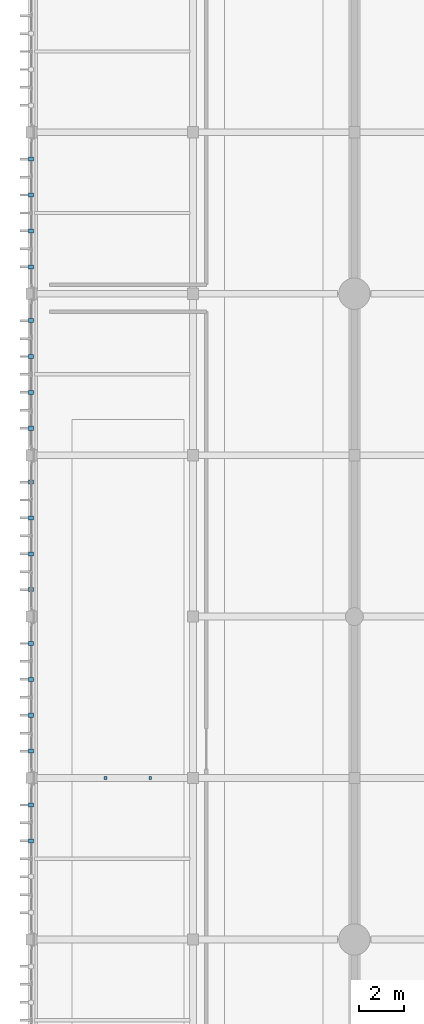
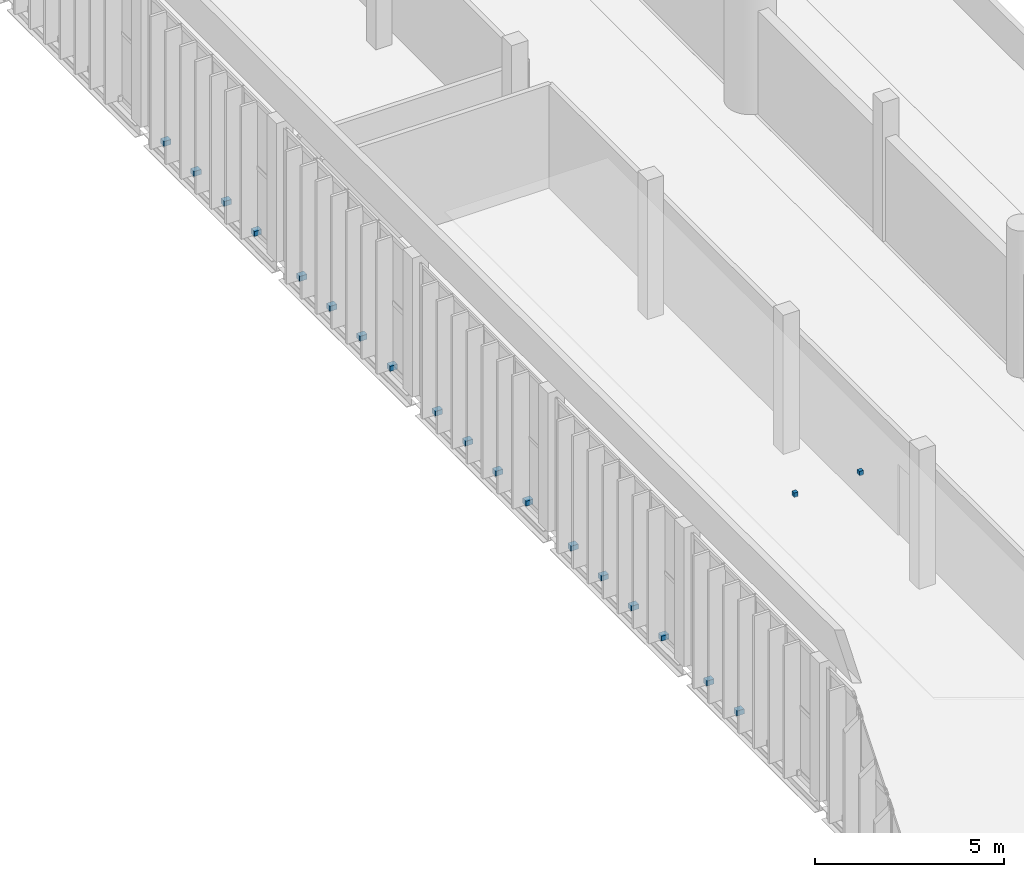
# One storey, part 52 of 64: 20 discrete accessories.
"""IFC4 building model written with IfcOpenShell, lengths in metres."""

from ifc_helpers import new_model, si_unit, direction, frame, origin, origin_2d, place, context, subcontext, project, spatial, rectangle, extrude, material, type_object, element, save


model = new_model("IFC4")

# Units and contexts
model_context = context("Model", 3, precision=1e-05, world=origin(), true_north=direction((0.0, 1.0)))
body_context = subcontext(model_context, "Body", "Model", "MODEL_VIEW")
ifc_project = project(units=[si_unit("LENGTHUNIT", "METRE"), si_unit("AREAUNIT", "SQUARE_METRE"), si_unit("VOLUMEUNIT", "CUBIC_METRE"), si_unit("PLANEANGLEUNIT", "RADIAN"), si_unit("MASSUNIT", "GRAM", prefix="KILO")], contexts=[model_context])

# Site, building, storey
site_placement = place(None, origin())
site = spatial("IfcSite", under=ifc_project, at=site_placement, CompositionType="ELEMENT")
building_placement = place(site_placement, origin())
building = spatial("IfcBuilding", under=site, at=building_placement, Name="Qandorah Velis Arena", CompositionType="ELEMENT")
storey_placement = place(building_placement, frame((0.0, 0.0, 23.0)))
storey = spatial("IfcBuildingStorey", under=building, at=storey_placement, Name="L05", CompositionType="ELEMENT", Elevation=23.0)

# Discrete accessories
ifc_material = material(Name="Stainless steel 316", Category="steel")
discrete_accessory_type = type_object("IfcDiscreteAccessoryType", Name="ARC-ACC-BRK", PredefinedType="BRACKET", material=ifc_material)
for number, where, z_axis, x_axis, name in (
    (1, (-0.030029296875, 33.199951171875, -0.02001953125), (0.0, 0.0, 1.0), (1.0, 0.0, 0.0), "Solar fin mounting bracket BRK-0181"),
    (2, (-0.030029296875, 34.800048828125, -0.02001953125), (0.0, 0.0, 1.0), (1.0, 0.0, 0.0), "Solar fin mounting bracket BRK-0182"),
    (3, (-0.030029296875, 37.199951171875, -0.02001953125), (0.0, 0.0, 1.0), (1.0, 0.0, 0.0), "Solar fin mounting bracket BRK-0183"),
    (4, (-0.030029296875, 38.800048828125, -0.02001953125), (0.0, 0.0, 1.0), (1.0, 0.0, 0.0), "Solar fin mounting bracket BRK-0184"),
    (5, (-0.030029296875, 40.39990234375, -0.02001953125), (0.0, 0.0, 1.0), (1.0, 0.0, 0.0), "Solar fin mounting bracket BRK-0185"),
    (6, (-0.030029296875, 42.0, -0.02001953125), (0.0, 0.0, 1.0), (1.0, 0.0, 0.0), "Solar fin mounting bracket BRK-0186"),
    (7, (-0.030029296875, 44.39990234375, -0.02001953125), (0.0, 0.0, 1.0), (1.0, 0.0, 0.0), "Solar fin mounting bracket BRK-0187"),
    (8, (-0.030029296875, 46.0, -0.02001953125), (0.0, 0.0, 1.0), (1.0, 0.0, 0.0), "Solar fin mounting bracket BRK-0188"),
    (9, (-0.030029296875, 47.60009765625, -0.02001953125), (0.0, 0.0, 1.0), (1.0, 0.0, 0.0), "Solar fin mounting bracket BRK-0189"),
    (10, (-0.030029296875, 49.199951171875, -0.02001953125), (0.0, 0.0, 1.0), (1.0, 0.0, 0.0), "Solar fin mounting bracket BRK-0190"),
    (11, (-0.030029296875, 51.60009765625, -0.02001953125), (0.0, 0.0, 1.0), (1.0, 0.0, 0.0), "Solar fin mounting bracket BRK-0191"),
    (12, (-0.030029296875, 53.199951171875, -0.02001953125), (0.0, 0.0, 1.0), (1.0, 0.0, 0.0), "Solar fin mounting bracket BRK-0192"),
    (13, (-0.030029296875, 54.800048828125, -0.02001953125), (0.0, 0.0, 1.0), (1.0, 0.0, 0.0), "Solar fin mounting bracket BRK-0193"),
    (14, (-0.030029296875, 56.39990234375, -0.02001953125), (0.0, 0.0, 1.0), (1.0, 0.0, 0.0), "Solar fin mounting bracket BRK-0194"),
    (15, (-0.030029296875, 58.800048828125, -0.02001953125), (0.0, 0.0, 1.0), (1.0, 0.0, 0.0), "Solar fin mounting bracket BRK-0195"),
    (16, (-0.030029296875, 60.39990234375, -0.02001953125), (0.0, 0.0, 1.0), (1.0, 0.0, 0.0), "Solar fin mounting bracket BRK-0196"),
    (17, (-0.030029296875, 62.0, -0.02001953125), (0.0, 0.0, 1.0), (1.0, 0.0, 0.0), "Solar fin mounting bracket BRK-0197"),
    (18, (-0.030029296875, 63.60009765625, -0.02001953125), (0.0, 0.0, 1.0), (1.0, 0.0, 0.0), "Solar fin mounting bracket BRK-0198"),
):
    element("IfcDiscreteAccessory", number, at=place(storey_placement, frame(where, z_axis=z_axis, x_axis=x_axis)), inside=storey, type_object=discrete_accessory_type, Name=name, PredefinedType="BRACKET", context=body_context, shape_type="SweptSolid", body=[
        extrude(rectangle(XDim=0.219970703125, YDim=0.179931640625, at=origin_2d()), origin(), (0.0, 0.0, 1.0), 0.159912109375),
    ])
for number, where, z_axis, x_axis, name in (
    (19, (3.300048828125, 36.0, 4.16015625), (0.0, 0.0, 1.0), (1.0, 0.0, 0.0), "Ceiling cloud hanger bracket HGR-07.1"),
    (20, (5.300048828125, 36.0, 4.16015625), (0.0, 0.0, 1.0), (1.0, 0.0, 0.0), "Ceiling cloud hanger bracket HGR-07.2"),
):
    element("IfcDiscreteAccessory", number, at=place(storey_placement, frame(where, z_axis=z_axis, x_axis=x_axis)), inside=storey, type_object=discrete_accessory_type, Name=name, PredefinedType="BRACKET", context=body_context, shape_type="SweptSolid", body=[
        extrude(rectangle(XDim=0.1201171875, YDim=0.1201171875, at=origin_2d()), origin(), (0.0, 0.0, 1.0), 0.139892578125),
    ])

save(model, "model.ifc")
